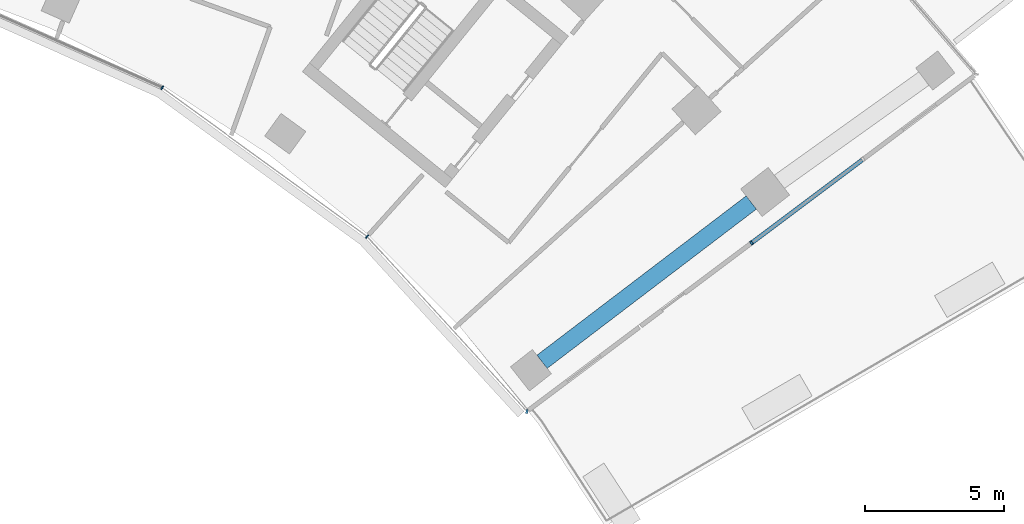
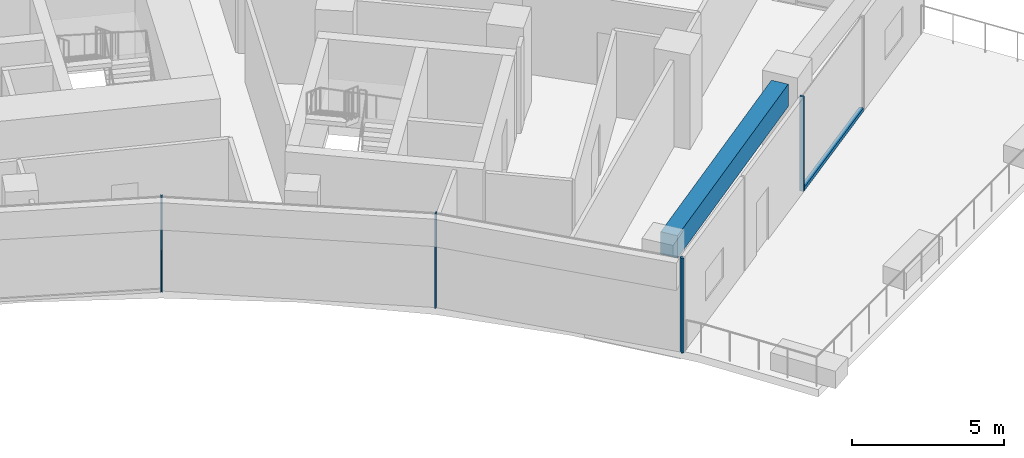
# One storey, part 8 of 23: 5 members, 1 beam, 2 elements without a shape of their own.
"""IFC4 building model written with IfcOpenShell, lengths in metres."""

from ifc_helpers import new_model, si_unit, direction, frame, origin, origin_2d, place, context, subcontext, project, spatial, rectangle, extrude, material, layer, layer_set, material_profile, profile_set, type_object, element, aggregate, save


model = new_model("IFC4")

# Units and contexts
model_context = context("Model", 3, precision=1e-05, world=origin(), true_north=direction((0.0, 1.0)))
body_context = subcontext(model_context, "Body", "Model", "MODEL_VIEW")
ifc_project = project(units=[si_unit("LENGTHUNIT", "METRE"), si_unit("AREAUNIT", "SQUARE_METRE"), si_unit("VOLUMEUNIT", "CUBIC_METRE"), si_unit("PLANEANGLEUNIT", "RADIAN"), si_unit("MASSUNIT", "GRAM", prefix="KILO")], contexts=[model_context])

# Site, building, storey
site_placement = place(None, origin())
site = spatial("IfcSite", under=ifc_project, at=site_placement, CompositionType="ELEMENT")
building_placement = place(site_placement, origin())
building = spatial("IfcBuilding", under=site, at=building_placement, Name="Stone Belt Terrace Tower", CompositionType="ELEMENT")
storey_placement = place(building_placement, frame((0.0, 0.0, 144.0)))
storey = spatial("IfcBuildingStorey", under=building, at=storey_placement, Name="L34", CompositionType="ELEMENT", Elevation=144.0)

# Curtain wall, members
ifc_material_1 = material(Name="Aluminium 6063-T6 anodised frame", Category="aluminium")
ifc_layer_1 = layer(ifc_material_1, 0.14990234375)
ifc_layer_set_1 = layer_set([ifc_layer_1], Name="CW-B unitised concave-face curtain wall")
curtain_wall_type_1 = type_object("IfcCurtainWallType", Name="CW-B unitised concave-face curtain wall", PredefinedType="NOTDEFINED", material=ifc_layer_set_1)
curtain_wall_1_placement = place(storey_placement, origin())
curtain_wall_1 = element("IfcCurtainWall", 1, at=curtain_wall_1_placement, inside=storey, type_object=curtain_wall_type_1, Name="CW-B concave face L34", PredefinedType="NOTDEFINED")
ifc_material_profile_1 = material_profile(ifc_material_1, rectangle(XDim=0.14990234375, YDim=0.050048828125, at=origin_2d()), Name="Aluminium 6063-T6 50x150")
ifc_profile_set_1 = profile_set([ifc_material_profile_1], Name="Aluminium 6063-T6 anodised frame")
member_type_1 = type_object("IfcMemberType", Name="CW-B mullion 50 x 150", PredefinedType="MULLION", material=ifc_profile_set_1)
member_1_placement = place(storey_placement, frame((21.71240234375, 37.606689453125, 0.0), z_axis=(0.0, 0.0, 1.0), x_axis=(0.5, 0.866025403784, 0.0)))
member_1 = element("IfcMember", 2, at=member_1_placement, type_object=member_type_1, Name="CW-B mullion 8", PredefinedType="MULLION", context=body_context, shape_type="SweptSolid", body=[
    extrude(rectangle(XDim=0.14990234375, YDim=0.050048828125, at=origin_2d()), origin(), (0.0, 0.0, 1.0), 3.800048828125),
])
member_2_placement = place(storey_placement, frame((29.056884765625, 32.2705078125, 0.0), z_axis=(0.0, 0.0, 1.0), x_axis=(0.666300886777, 0.745682994496, 0.0)))
member_2 = element("IfcMember", 3, at=member_2_placement, type_object=member_type_1, Name="CW-B mullion 9", PredefinedType="MULLION", context=body_context, shape_type="SweptSolid", body=[
    extrude(rectangle(XDim=0.14990234375, YDim=0.050048828125, at=origin_2d()), origin(), (0.0, 0.0, 1.0), 3.800048828125),
])
aggregate(curtain_wall_1, [member_1, member_2])

ifc_layer_2 = layer(ifc_material_1, 0.14990234375)
ifc_layer_set_2 = layer_set([ifc_layer_2], Name="CW-E conservatory and damper hall curtain wall")
curtain_wall_type_2 = type_object("IfcCurtainWallType", Name="CW-E conservatory and damper hall curtain wall", PredefinedType="NOTDEFINED", material=ifc_layer_set_2)
curtain_wall_2_placement = place(storey_placement, origin())
curtain_wall_2 = element("IfcCurtainWall", 4, at=curtain_wall_2_placement, inside=storey, type_object=curtain_wall_type_2, Name="CW-E end face L34", PredefinedType="NOTDEFINED")
ifc_material_profile_2 = material_profile(ifc_material_1, rectangle(XDim=0.14990234375, YDim=0.080078125, at=origin_2d()), Name="Aluminium 6063-T6 80x150")
ifc_profile_set_2 = profile_set([ifc_material_profile_2], Name="Aluminium 6063-T6 anodised frame")
member_type_2 = type_object("IfcMemberType", Name="CW-E mullion 80 x 150", PredefinedType="MULLION", material=ifc_profile_set_2)
member_3_placement = place(storey_placement, frame((34.7900390625, 26.0, 0.0), z_axis=(0.0, 0.0, 1.0), x_axis=(0.093180581986, 0.995649224949, 0.0)))
member_3 = element("IfcMember", 5, at=member_3_placement, type_object=member_type_2, Name="CW-E mullion 1", PredefinedType="MULLION", context=body_context, shape_type="SweptSolid", body=[
    extrude(rectangle(XDim=0.14990234375, YDim=0.080078125, at=origin_2d()), origin(), (0.0, 0.0, 1.0), 3.800048828125),
])
member_4_placement = place(storey_placement, frame((42.84423828125, 32.041015625, 0.0), z_axis=(0.0, 0.0, 1.0), x_axis=(-0.600017992436, 0.799986505357, 0.0)))
member_4 = element("IfcMember", 6, at=member_4_placement, type_object=member_type_2, Name="CW-E mullion 3", PredefinedType="MULLION", context=body_context, shape_type="SweptSolid", body=[
    extrude(rectangle(XDim=0.14990234375, YDim=0.080078125, at=origin_2d()), origin(), (0.0, 0.0, 1.0), 3.800048828125),
])
ifc_material_profile_3 = material_profile(ifc_material_1, rectangle(XDim=0.14990234375, YDim=0.14990234375, at=origin_2d()), Name="Aluminium 6063-T6 150x150")
ifc_profile_set_3 = profile_set([ifc_material_profile_3], Name="Aluminium 6063-T6 anodised frame")
member_type_3 = type_object("IfcMemberType", Name="CW-E transom 150 x 150", PredefinedType="USERDEFINED", material=ifc_profile_set_3)
member_5_placement = place(storey_placement, frame((42.876220703125, 32.06494140625, 0.074951171875), z_axis=(0.799988090827, 0.600015878569, 0.0), x_axis=(-0.600015878569, 0.799988090827, 0.0)))
member_5 = element("IfcMember", 7, at=member_5_placement, type_object=member_type_3, Name="CW-E transom 3.1", ObjectType="TRANSOM", PredefinedType="USERDEFINED", context=body_context, shape_type="SweptSolid", body=[
    extrude(rectangle(XDim=0.14990234375, YDim=0.14990234375, at=origin_2d()), origin(), (0.0, 0.0, 1.0), 4.920166015625),
])
aggregate(curtain_wall_2, [member_3, member_4, member_5])

# Beam
ifc_material_2 = material(Name="Concrete B60", Category="concrete")
ifc_material_profile_4 = material_profile(ifc_material_2, rectangle(XDim=0.60009765625, YDim=0.89990234375, at=origin_2d()), Name="RC 600x900")
ifc_profile_set_4 = profile_set([ifc_material_profile_4], Name="Concrete B60")
beam_type = type_object("IfcBeamType", Name="Edge beam RC 600x900 B60", PredefinedType="SPANDREL", material=ifc_profile_set_4)
beam_placement = place(storey_placement, frame((35.33203125, 27.779541015625, 3.030029296875), z_axis=(0.795702028976, 0.605688270552, 0.0), x_axis=(-0.605688270552, 0.795702028976, 0.0)))
element("IfcBeam", 8, at=beam_placement, inside=storey, type_object=beam_type, Name="Edge beam L34 B P to Q", PredefinedType="SPANDREL", context=body_context, shape_type="SweptSolid", body=[
    extrude(rectangle(XDim=0.60009765625, YDim=0.89990234375, at=origin_2d()), origin(), (0.0, 0.0, 1.0), 9.430908203125),
])

save(model, "model.ifc")
